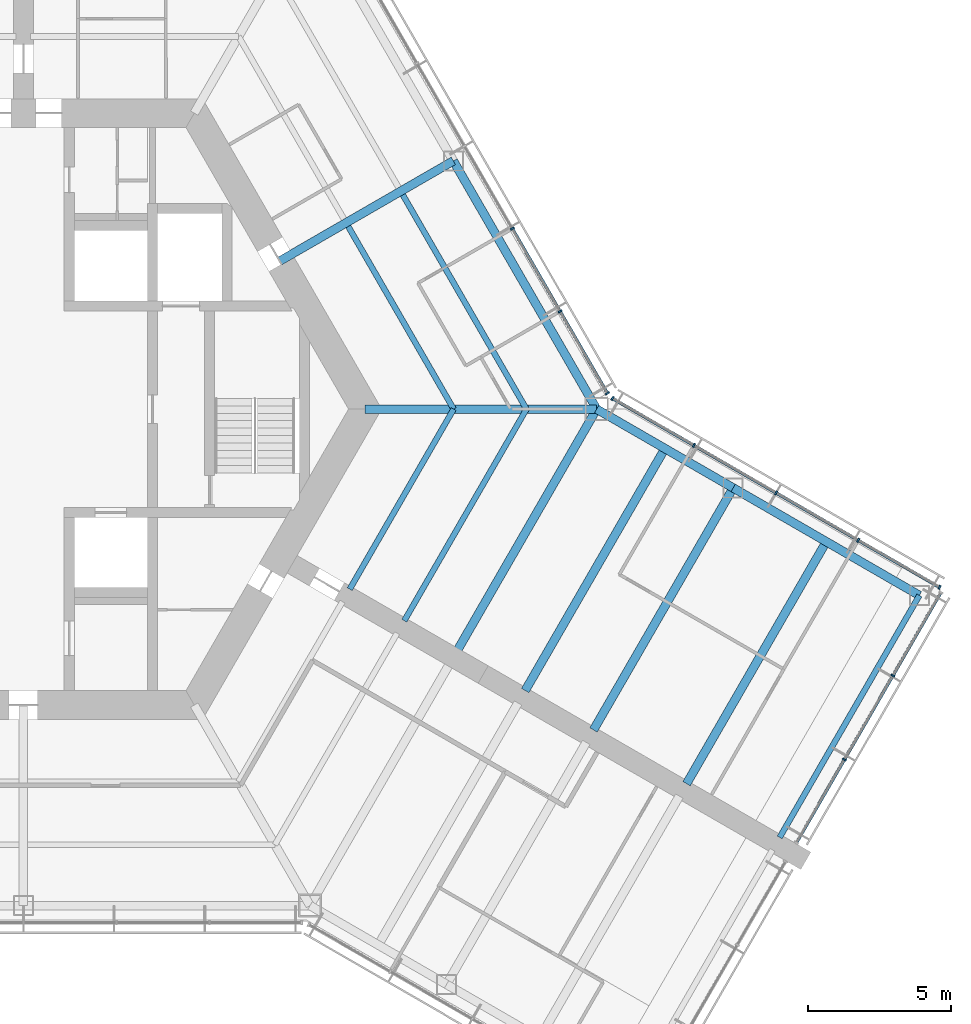
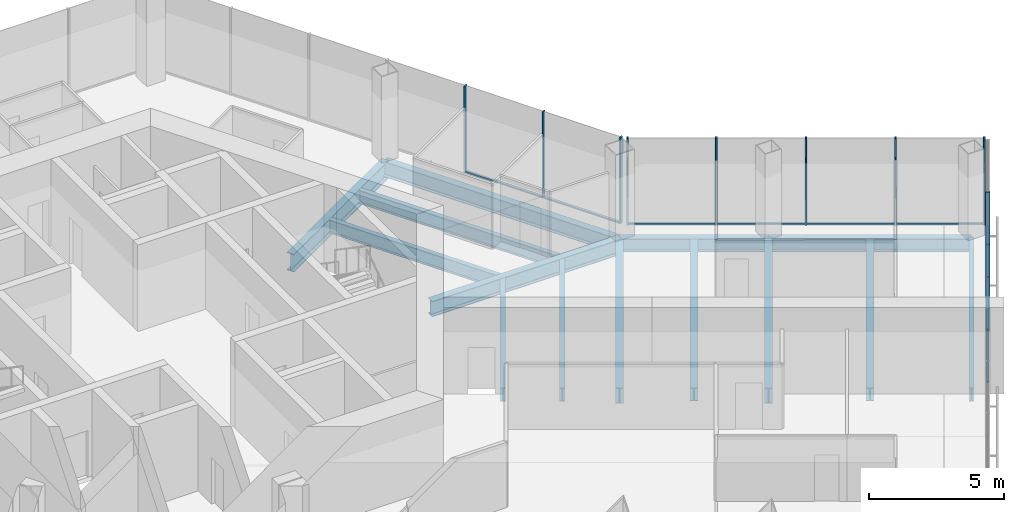
# One storey, part 6 of 18: 19 members, 14 beams, 3 elements without a shape of their own.
"""IFC4 building model written with IfcOpenShell, lengths in metres."""

from ifc_helpers import new_model, si_unit, direction, frame, origin, origin_2d, place, context, subcontext, project, spatial, rectangle, i_section, extrude, material, material_profile, profile_set, type_object, element, aggregate, save


model = new_model("IFC4")

# Units and contexts
model_context = context("Model", 3, precision=1e-05, world=origin(), true_north=direction((0.0, 1.0)))
body_context = subcontext(model_context, "Body", "Model", "MODEL_VIEW")
ifc_project = project(units=[si_unit("LENGTHUNIT", "METRE"), si_unit("AREAUNIT", "SQUARE_METRE"), si_unit("VOLUMEUNIT", "CUBIC_METRE"), si_unit("PLANEANGLEUNIT", "RADIAN"), si_unit("MASSUNIT", "GRAM", prefix="KILO")], contexts=[model_context])

# Site, building, storey
site_placement = place(None, origin())
site = spatial("IfcSite", under=ifc_project, at=site_placement, CompositionType="ELEMENT")
building_placement = place(site_placement, origin())
building = spatial("IfcBuilding", under=site, at=building_placement, Name="Kasaneha Research Tower", CompositionType="ELEMENT")
storey_placement = place(building_placement, frame((0.0, 0.0, 191.60009765625)))
storey = spatial("IfcBuildingStorey", under=building, at=storey_placement, Name="L48", CompositionType="ELEMENT", Elevation=191.60009765625)

# Beams
ifc_material_1 = material(Name="Steel SN490B", Category="steel")
ifc_material_profile_1 = material_profile(ifc_material_1, i_section(OverallWidth=0.199951171875, OverallDepth=0.60009765625, WebThickness=0.010986328125, FlangeThickness=0.01708984375, FilletRadius=0.012939453125, at=origin_2d()), Name="H-600x200x11x17")
ifc_profile_set_1 = profile_set([ifc_material_profile_1], Name="Steel SN490B")
beam_type_1 = type_object("IfcBeamType", Name="B1-3 secondary beam H-600x200x11x17", PredefinedType="JOIST", material=ifc_profile_set_1)
beam_1_placement = place(storey_placement, frame((15.010986328125, 0.0, -0.4501953125), z_axis=(-0.499994443168, 0.866028611999, 0.0), x_axis=(-0.866028611999, -0.499994443168, 0.0)))
element("IfcBeam", 1, at=beam_1_placement, inside=storey, type_object=beam_type_1, Name="Secondary beam RS030L1 L48", PredefinedType="JOIST", context=body_context, shape_type="SweptSolid", body=[
    extrude(i_section(OverallWidth=0.199951171875, OverallDepth=0.60009765625, WebThickness=0.010986328125, FlangeThickness=0.01708984375, FilletRadius=0.012939453125, at=origin_2d()), origin(), (0.0, 0.0, 1.0), 7.35546875),
])
beam_2_placement = place(storey_placement, frame((17.551513671875, 0.0, -0.4501953125), z_axis=(-0.5000050195, 0.866022505755, 0.0), x_axis=(-0.866022505755, -0.5000050195, 0.0)))
element("IfcBeam", 2, at=beam_2_placement, inside=storey, type_object=beam_type_1, Name="Secondary beam RS030L2 L48", PredefinedType="JOIST", context=body_context, shape_type="SweptSolid", body=[
    extrude(i_section(OverallWidth=0.199951171875, OverallDepth=0.60009765625, WebThickness=0.010986328125, FlangeThickness=0.01708984375, FilletRadius=0.012939453125, at=origin_2d()), origin(), (0.0, 0.0, 1.0), 8.6259765625),
])
beam_3_placement = place(storey_placement, frame((15.010986328125, 0.0, -0.4501953125), z_axis=(-0.499993340521, -0.866029248602, 0.0), x_axis=(0.866029248602, -0.499993340521, 0.0)))
element("IfcBeam", 3, at=beam_3_placement, inside=storey, type_object=beam_type_1, Name="Secondary beam RS330R1 L48", PredefinedType="JOIST", context=body_context, shape_type="SweptSolid", body=[
    extrude(i_section(OverallWidth=0.199951171875, OverallDepth=0.60009765625, WebThickness=0.010986328125, FlangeThickness=0.01708984375, FilletRadius=0.012939453125, at=origin_2d()), origin(), (0.0, 0.0, 1.0), 7.25537109375),
])
beam_4_placement = place(storey_placement, frame((17.551513671875, 0.0, -0.4501953125), z_axis=(-0.500004205306, -0.866022975836, 0.0), x_axis=(0.866022975836, -0.500004205306, 0.0)))
element("IfcBeam", 4, at=beam_4_placement, inside=storey, type_object=beam_type_1, Name="Secondary beam RS330R2 L48", PredefinedType="JOIST", context=body_context, shape_type="SweptSolid", body=[
    extrude(i_section(OverallWidth=0.199951171875, OverallDepth=0.60009765625, WebThickness=0.010986328125, FlangeThickness=0.01708984375, FilletRadius=0.012939453125, at=origin_2d()), origin(), (0.0, 0.0, 1.0), 8.52587890625),
])
ifc_material_2 = material(Name="Steel SN490B", Category="steel")
ifc_material_profile_2 = material_profile(ifc_material_2, i_section(OverallWidth=0.300048828125, OverallDepth=0.58203125, WebThickness=0.011962890625, FlangeThickness=0.01708984375, FilletRadius=0.012939453125, at=origin_2d()), Name="H-582x300x12x17")
ifc_profile_set_2 = profile_set([ifc_material_profile_2], Name="Steel SN490B")
beam_type_2 = type_object("IfcBeamType", Name="B2-3 secondary beam H-582x300x12x17", PredefinedType="JOIST", material=ifc_profile_set_2)
for number, where, z_axis, x_axis, name in (
    (5, (22.381591796875, -1.375, -0.441162109375), (-0.499995560238, -0.866027967067, 0.0), (0.866027967067, -0.499995560238, 0.0), "Secondary beam WBCN1 L48"),
    (6, (28.0107421875, -4.625, -0.441162109375), (-0.499995560238, -0.866027967067, 0.0), (0.866027967067, -0.499995560238, 0.0), "Secondary beam WBCN2 L48"),
):
    element("IfcBeam", number, at=place(storey_placement, frame(where, z_axis=z_axis, x_axis=x_axis)), inside=storey, type_object=beam_type_2, Name=name, PredefinedType="JOIST", context=body_context, shape_type="SweptSolid", body=[
        extrude(i_section(OverallWidth=0.300048828125, OverallDepth=0.58203125, WebThickness=0.011962890625, FlangeThickness=0.01708984375, FilletRadius=0.012939453125, at=origin_2d()), origin(), (0.0, 0.0, 1.0), 9.75),
    ])

# Curtain wall, members
ifc_material_3 = material(Name="Glass and aluminium", Category="aluminium")
curtain_wall_type = type_object("IfcCurtainWallType", Name="Mid-rise office curtain wall", PredefinedType="USERDEFINED", material=ifc_material_3)
curtain_wall_1_placement = place(storey_placement, origin())
curtain_wall_1 = element("IfcCurtainWall", 7, at=curtain_wall_1_placement, inside=storey, type_object=curtain_wall_type, Name="CW-O2 L48 run 04a", ObjectType="UNITISED CURTAIN WALL", PredefinedType="USERDEFINED")
ifc_material_4 = material(Name="Aluminium 6063-T6", Category="aluminium")
ifc_material_profile_3 = material_profile(ifc_material_4, rectangle(XDim=0.06005859375, YDim=0.14990234375, at=origin_2d()), Name="CW-O2 mullion 60x150")
ifc_profile_set_3 = profile_set([ifc_material_profile_3], Name="Aluminium 6063-T6")
member_type_1 = type_object("IfcMemberType", Name="CW-O2 mullion", PredefinedType="MULLION", material=ifc_profile_set_3)
member_1_placement = place(storey_placement, frame((28.64453125, -12.22705078125, 0.0), z_axis=(0.0, 0.0, 1.0), x_axis=(0.500000011442, 0.866025397178, 0.0)))
member_1 = element("IfcMember", 8, at=member_1_placement, type_object=member_type_1, Name="CW-O2 mullion 2", PredefinedType="MULLION", context=body_context, shape_type="SweptSolid", body=[
    extrude(rectangle(XDim=0.06005859375, YDim=0.14990234375, at=origin_2d()), origin(), (0.0, 0.0, 1.0), 3.89990234375),
])
member_2_placement = place(storey_placement, frame((30.336181640625, -9.297119140625, 0.0), z_axis=(0.0, 0.0, 1.0), x_axis=(0.500000011442, 0.866025397178, 0.0)))
member_2 = element("IfcMember", 9, at=member_2_placement, type_object=member_type_1, Name="CW-O2 mullion 3", PredefinedType="MULLION", context=body_context, shape_type="SweptSolid", body=[
    extrude(rectangle(XDim=0.06005859375, YDim=0.14990234375, at=origin_2d()), origin(), (0.0, 0.0, 1.0), 3.89990234375),
])

curtain_wall_2_placement = place(storey_placement, origin())
curtain_wall_2 = element("IfcCurtainWall", 10, at=curtain_wall_2_placement, inside=storey, type_object=curtain_wall_type, Name="CW-O2 L48 run 05a", ObjectType="UNITISED CURTAIN WALL", PredefinedType="USERDEFINED")
member_3_placement = place(storey_placement, frame((31.96533203125, -6.21533203125, 0.0), z_axis=(0.0, 0.0, 1.0), x_axis=(-0.866025411464, 0.499999986699, 0.0)))
member_3 = element("IfcMember", 11, at=member_3_placement, type_object=member_type_1, Name="CW-O2 mullion 1", PredefinedType="MULLION", context=body_context, shape_type="SweptSolid", body=[
    extrude(rectangle(XDim=0.06005859375, YDim=0.14990234375, at=origin_2d()), origin(), (0.0, 0.0, 1.0), 3.89990234375),
])
member_4_placement = place(storey_placement, frame((29.125, -4.575439453125, 0.0), z_axis=(0.0, 0.0, 1.0), x_axis=(-0.866025411464, 0.499999986699, 0.0)))
member_4 = element("IfcMember", 12, at=member_4_placement, type_object=member_type_1, Name="CW-O2 mullion 2", PredefinedType="MULLION", context=body_context, shape_type="SweptSolid", body=[
    extrude(rectangle(XDim=0.06005859375, YDim=0.14990234375, at=origin_2d()), origin(), (0.0, 0.0, 1.0), 3.89990234375),
])
member_5_placement = place(storey_placement, frame((26.258544921875, -2.920654296875, 0.0), z_axis=(0.0, 0.0, 1.0), x_axis=(-0.866025411464, 0.499999986699, 0.0)))
member_5 = element("IfcMember", 13, at=member_5_placement, type_object=member_type_1, Name="CW-O2 mullion 3", PredefinedType="MULLION", context=body_context, shape_type="SweptSolid", body=[
    extrude(rectangle(XDim=0.06005859375, YDim=0.14990234375, at=origin_2d()), origin(), (0.0, 0.0, 1.0), 3.89990234375),
])
member_6_placement = place(storey_placement, frame((23.39208984375, -1.265625, 0.0), z_axis=(0.0, 0.0, 1.0), x_axis=(-0.866025411464, 0.499999986699, 0.0)))
member_6 = element("IfcMember", 14, at=member_6_placement, type_object=member_type_1, Name="CW-O2 mullion 4", PredefinedType="MULLION", context=body_context, shape_type="SweptSolid", body=[
    extrude(rectangle(XDim=0.06005859375, YDim=0.14990234375, at=origin_2d()), origin(), (0.0, 0.0, 1.0), 3.89990234375),
])
member_7_placement = place(storey_placement, frame((20.5517578125, 0.374267578125, 0.0), z_axis=(0.0, 0.0, 1.0), x_axis=(-0.866025411464, 0.499999986699, 0.0)))
member_7 = element("IfcMember", 15, at=member_7_placement, type_object=member_type_1, Name="CW-O2 mullion 5", PredefinedType="MULLION", context=body_context, shape_type="SweptSolid", body=[
    extrude(rectangle(XDim=0.06005859375, YDim=0.14990234375, at=origin_2d()), origin(), (0.0, 0.0, 1.0), 3.89990234375),
])

curtain_wall_3_placement = place(storey_placement, origin())
curtain_wall_3 = element("IfcCurtainWall", 16, at=curtain_wall_3_placement, inside=storey, type_object=curtain_wall_type, Name="CW-O2 L48 run 06a", ObjectType="UNITISED CURTAIN WALL", PredefinedType="USERDEFINED")
member_8_placement = place(storey_placement, frame((20.374267578125, 0.5517578125, 0.0), z_axis=(0.0, 0.0, 1.0), x_axis=(-0.499999979232, 0.866025415775, 0.0)))
member_8 = element("IfcMember", 17, at=member_8_placement, type_object=member_type_1, Name="CW-O2 mullion 1", PredefinedType="MULLION", context=body_context, shape_type="SweptSolid", body=[
    extrude(rectangle(XDim=0.06005859375, YDim=0.14990234375, at=origin_2d()), origin(), (0.0, 0.0, 1.0), 3.89990234375),
])
member_9_placement = place(storey_placement, frame((18.723876953125, 3.410400390625, 0.0), z_axis=(0.0, 0.0, 1.0), x_axis=(-0.499999979232, 0.866025415775, 0.0)))
member_9 = element("IfcMember", 18, at=member_9_placement, type_object=member_type_1, Name="CW-O2 mullion 2", PredefinedType="MULLION", context=body_context, shape_type="SweptSolid", body=[
    extrude(rectangle(XDim=0.06005859375, YDim=0.14990234375, at=origin_2d()), origin(), (0.0, 0.0, 1.0), 3.89990234375),
])
member_10_placement = place(storey_placement, frame((17.058349609375, 6.295166015625, 0.0), z_axis=(0.0, 0.0, 1.0), x_axis=(-0.499999979232, 0.866025415775, 0.0)))
member_10 = element("IfcMember", 19, at=member_10_placement, type_object=member_type_1, Name="CW-O2 mullion 3", PredefinedType="MULLION", context=body_context, shape_type="SweptSolid", body=[
    extrude(rectangle(XDim=0.06005859375, YDim=0.14990234375, at=origin_2d()), origin(), (0.0, 0.0, 1.0), 3.89990234375),
])

# Member
ifc_material_5 = material(Name="Aluminium 6063-T6", Category="aluminium")
ifc_material_profile_4 = material_profile(ifc_material_5, rectangle(XDim=0.110107421875, YDim=0.06005859375, at=origin_2d()), Name="CW-O2 transom 110x60")
ifc_profile_set_4 = profile_set([ifc_material_profile_4], Name="Aluminium 6063-T6")
member_type_2 = type_object("IfcMemberType", Name="CW-O2 transom", PredefinedType="USERDEFINED", material=ifc_profile_set_4)
member_11_placement = place(storey_placement, frame((26.98291015625, -15.105224609375, 0.02978515625), z_axis=(0.500021914551, 0.866012751043, 0.0), x_axis=(-0.866012751043, 0.500021914551, 0.0)))
member_11 = element("IfcMember", 20, at=member_11_placement, type_object=member_type_2, Name="CW-O2 transom 1", ObjectType="TRANSOM", PredefinedType="USERDEFINED", context=body_context, shape_type="SweptSolid", body=[
    extrude(rectangle(XDim=0.110107421875, YDim=0.06005859375, at=origin_2d()), origin(), (0.0, 0.0, 1.0), 3.293212890625),
])

member_12_placement = place(storey_placement, frame((28.65966796875, -12.201171875, 0.02978515625), z_axis=(0.499978935311, 0.866037565146, 0.0), x_axis=(-0.866037565146, 0.499978935311, 0.0)))
member_12 = element("IfcMember", 21, at=member_12_placement, type_object=member_type_2, Name="CW-O2 transom 2", ObjectType="TRANSOM", PredefinedType="USERDEFINED", context=body_context, shape_type="SweptSolid", body=[
    extrude(rectangle(XDim=0.110107421875, YDim=0.06005859375, at=origin_2d()), origin(), (0.0, 0.0, 1.0), 3.323486328125),
])

member_13_placement = place(storey_placement, frame((30.351318359375, -9.27099609375, 0.02978515625), z_axis=(0.500021914551, 0.866012751043, 0.0), x_axis=(-0.866012751043, 0.500021914551, 0.0)))
member_13 = element("IfcMember", 22, at=member_13_placement, type_object=member_type_2, Name="CW-O2 transom 3", ObjectType="TRANSOM", PredefinedType="USERDEFINED", context=body_context, shape_type="SweptSolid", body=[
    extrude(rectangle(XDim=0.110107421875, YDim=0.06005859375, at=origin_2d()), origin(), (0.0, 0.0, 1.0), 3.293212890625),
])

aggregate(curtain_wall_1, [member_1, member_2, member_11, member_12, member_13])

member_14_placement = place(storey_placement, frame((31.939453125, -6.200439453125, 0.02978515625), z_axis=(-0.866041647767, 0.499971863542, 0.0), x_axis=(-0.499971863542, -0.866041647767, 0.0)))
member_14 = element("IfcMember", 23, at=member_14_placement, type_object=member_type_2, Name="CW-O2 transom 1", ObjectType="TRANSOM", PredefinedType="USERDEFINED", context=body_context, shape_type="SweptSolid", body=[
    extrude(rectangle(XDim=0.110107421875, YDim=0.06005859375, at=origin_2d()), origin(), (0.0, 0.0, 1.0), 3.219970703125),
])

member_15_placement = place(storey_placement, frame((29.098876953125, -4.560546875, 0.02978515625), z_axis=(-0.86599666273, 0.500049777664, 0.0), x_axis=(-0.500049777664, -0.86599666273, 0.0)))
member_15 = element("IfcMember", 24, at=member_15_placement, type_object=member_type_2, Name="CW-O2 transom 2", ObjectType="TRANSOM", PredefinedType="USERDEFINED", context=body_context, shape_type="SweptSolid", body=[
    extrude(rectangle(XDim=0.110107421875, YDim=0.06005859375, at=origin_2d()), origin(), (0.0, 0.0, 1.0), 3.249755859375),
])

member_16_placement = place(storey_placement, frame((26.232666015625, -2.905517578125, 0.02978515625), z_axis=(-0.86604797581, 0.499960902066, 0.0), x_axis=(-0.499960902066, -0.86604797581, 0.0)))
member_16 = element("IfcMember", 25, at=member_16_placement, type_object=member_type_2, Name="CW-O2 transom 3", ObjectType="TRANSOM", PredefinedType="USERDEFINED", context=body_context, shape_type="SweptSolid", body=[
    extrude(rectangle(XDim=0.110107421875, YDim=0.06005859375, at=origin_2d()), origin(), (0.0, 0.0, 1.0), 3.249755859375),
])

member_17_placement = place(storey_placement, frame((23.3662109375, -1.250732421875, 0.02978515625), z_axis=(-0.866022692473, 0.500004696101, 0.0), x_axis=(-0.500004696101, -0.866022692473, 0.0)))
member_17 = element("IfcMember", 26, at=member_17_placement, type_object=member_type_2, Name="CW-O2 transom 4", ObjectType="TRANSOM", PredefinedType="USERDEFINED", context=body_context, shape_type="SweptSolid", body=[
    extrude(rectangle(XDim=0.110107421875, YDim=0.06005859375, at=origin_2d()), origin(), (0.0, 0.0, 1.0), 3.2197265625),
])

aggregate(curtain_wall_2, [member_3, member_4, member_5, member_6, member_7, member_14, member_15, member_16, member_17])

member_18_placement = place(storey_placement, frame((20.359130859375, 0.577880859375, 0.02978515625), z_axis=(-0.499987643696, 0.866032537582, 0.0), x_axis=(-0.866032537582, -0.499987643696, 0.0)))
member_18 = element("IfcMember", 27, at=member_18_placement, type_object=member_type_2, Name="CW-O2 transom 1", ObjectType="TRANSOM", PredefinedType="USERDEFINED", context=body_context, shape_type="SweptSolid", body=[
    extrude(rectangle(XDim=0.110107421875, YDim=0.06005859375, at=origin_2d()), origin(), (0.0, 0.0, 1.0), 3.24072265625),
])

member_19_placement = place(storey_placement, frame((18.708740234375, 3.4365234375, 0.02978515625), z_axis=(-0.500000270186, 0.866025247793, 0.0), x_axis=(-0.866025247793, -0.500000270186, 0.0)))
member_19 = element("IfcMember", 28, at=member_19_placement, type_object=member_type_2, Name="CW-O2 transom 2", ObjectType="TRANSOM", PredefinedType="USERDEFINED", context=body_context, shape_type="SweptSolid", body=[
    extrude(rectangle(XDim=0.110107421875, YDim=0.06005859375, at=origin_2d()), origin(), (0.0, 0.0, 1.0), 3.27099609375),
])

aggregate(curtain_wall_3, [member_8, member_9, member_10, member_18, member_19])

# Beams
ifc_material_6 = material(Name="Steel SN490B", Category="steel")
ifc_material_profile_5 = material_profile(ifc_material_6, i_section(OverallWidth=0.300048828125, OverallDepth=0.699951171875, WebThickness=0.012939453125, FlangeThickness=0.02392578125, FilletRadius=0.01806640625, at=origin_2d()), Name="H-700x300x13x24")
ifc_profile_set_5 = profile_set([ifc_material_profile_5], Name="Steel SN490B")
beam_type_3 = type_object("IfcBeamType", Name="G1-3 radial girder H-700x300x13x24", PredefinedType="BEAM", material=ifc_profile_set_5)
beam_5_placement = place(storey_placement, frame((11.92236328125, 0.0, -0.5), z_axis=(1.0, 0.0, 0.0), x_axis=(0.0, 1.0, 0.0)))
element("IfcBeam", 29, at=beam_5_placement, inside=storey, type_object=beam_type_3, Name="Radial girder RV000 L48", PredefinedType="BEAM", context=body_context, shape_type="SweptSolid", body=[
    extrude(i_section(OverallWidth=0.300048828125, OverallDepth=0.699951171875, WebThickness=0.012939453125, FlangeThickness=0.02392578125, FilletRadius=0.01806640625, at=origin_2d()), origin(), (0.0, 0.0, 1.0), 8.07763671875),
])
ifc_material_7 = material(Name="Steel SN490B", Category="steel")
ifc_material_profile_6 = material_profile(ifc_material_7, i_section(OverallWidth=0.300048828125, OverallDepth=0.800048828125, WebThickness=0.013916015625, FlangeThickness=0.02587890625, FilletRadius=0.01806640625, at=origin_2d()), Name="H-800x300x14x26")
ifc_profile_set_6 = profile_set([ifc_material_profile_6], Name="Steel SN490B")
beam_type_4 = type_object("IfcBeamType", Name="G2-3 radial girder H-800x300x14x26", PredefinedType="BEAM", material=ifc_profile_set_6)
beam_6_placement = place(storey_placement, frame((8.941650390625, 5.16259765625, -0.550048828125), z_axis=(0.866039713508, 0.499975214012, 0.0), x_axis=(-0.499975214012, 0.866039713508, 0.0)))
element("IfcBeam", 30, at=beam_6_placement, inside=storey, type_object=beam_type_4, Name="Radial girder RM030 L48", PredefinedType="BEAM", context=body_context, shape_type="SweptSolid", body=[
    extrude(i_section(OverallWidth=0.300048828125, OverallDepth=0.800048828125, WebThickness=0.013916015625, FlangeThickness=0.02587890625, FilletRadius=0.01806640625, at=origin_2d()), origin(), (0.0, 0.0, 1.0), 6.995361328125),
])
ifc_material_8 = material(Name="Steel SN490B", Category="steel")
ifc_material_profile_7 = material_profile(ifc_material_8, i_section(OverallWidth=0.300048828125, OverallDepth=0.69189453125, WebThickness=0.012939453125, FlangeThickness=0.02001953125, FilletRadius=0.01806640625, at=origin_2d()), Name="H-692x300x13x20")
ifc_profile_set_7 = profile_set([ifc_material_profile_7], Name="Steel SN490B")
beam_type_5 = type_object("IfcBeamType", Name="G3-3 plate edge girder H-692x300x13x20", PredefinedType="BEAM", material=ifc_profile_set_7)
beam_7_placement = place(storey_placement, frame((20.0, 0.0, -0.49609375), z_axis=(-0.499995560238, -0.866027967067, 0.0), x_axis=(0.866027967067, -0.499995560238, 0.0)))
element("IfcBeam", 31, at=beam_7_placement, inside=storey, type_object=beam_type_5, Name="Plate edge girder PECN L48", PredefinedType="BEAM", context=body_context, shape_type="SweptSolid", body=[
    extrude(i_section(OverallWidth=0.300048828125, OverallDepth=0.69189453125, WebThickness=0.012939453125, FlangeThickness=0.02001953125, FilletRadius=0.01806640625, at=origin_2d()), origin(), (0.0, 0.0, 1.0), 9.75),
])
ifc_material_9 = material(Name="Steel SN490B", Category="steel")
ifc_material_profile_8 = material_profile(ifc_material_9, i_section(OverallWidth=0.300048828125, OverallDepth=0.699951171875, WebThickness=0.012939453125, FlangeThickness=0.02392578125, FilletRadius=0.01806640625, at=origin_2d()), Name="H-700x300x13x24")
ifc_profile_set_8 = profile_set([ifc_material_profile_8], Name="Steel SN490B")
beam_type_6 = type_object("IfcBeamType", Name="G4-3 wing girder H-700x300x13x24", PredefinedType="BEAM", material=ifc_profile_set_8)
beam_8_placement = place(storey_placement, frame((24.76318359375, -2.75, -0.5), z_axis=(-0.499995560238, -0.866027967067, 0.0), x_axis=(0.866027967067, -0.499995560238, 0.0)))
element("IfcBeam", 32, at=beam_8_placement, inside=storey, type_object=beam_type_6, Name="Wing girder WGCN L48", PredefinedType="BEAM", context=body_context, shape_type="SweptSolid", body=[
    extrude(i_section(OverallWidth=0.300048828125, OverallDepth=0.699951171875, WebThickness=0.012939453125, FlangeThickness=0.02392578125, FilletRadius=0.01806640625, at=origin_2d()), origin(), (0.0, 0.0, 1.0), 9.75),
])
ifc_material_10 = material(Name="Steel SN490B", Category="steel")
ifc_material_profile_9 = material_profile(ifc_material_10, i_section(OverallWidth=0.300048828125, OverallDepth=0.69189453125, WebThickness=0.012939453125, FlangeThickness=0.02001953125, FilletRadius=0.01806640625, at=origin_2d()), Name="H-692x300x13x20")
ifc_profile_set_9 = profile_set([ifc_material_profile_9], Name="Steel SN490B")
beam_type_7 = type_object("IfcBeamType", Name="SB1-3 spandrel beam H-692x300x13x20", PredefinedType="SPANDREL", material=ifc_profile_set_9)
beam_9_placement = place(storey_placement, frame((20.0, 0.0, -0.49609375), z_axis=(-0.500004234368, 0.866022959057, 0.0), x_axis=(-0.866022959057, -0.500004234368, 0.0)))
element("IfcBeam", 33, at=beam_9_placement, inside=storey, type_object=beam_type_7, Name="Spandrel beam SR030L L48", PredefinedType="SPANDREL", context=body_context, shape_type="SweptSolid", body=[
    extrude(i_section(OverallWidth=0.300048828125, OverallDepth=0.69189453125, WebThickness=0.012939453125, FlangeThickness=0.02001953125, FilletRadius=0.01806640625, at=origin_2d()), origin(), (0.0, 0.0, 1.0), 10.0),
])
ifc_material_11 = material(Name="Steel SN490B", Category="steel")
ifc_material_profile_10 = material_profile(ifc_material_11, i_section(OverallWidth=0.300048828125, OverallDepth=0.58203125, WebThickness=0.011962890625, FlangeThickness=0.01708984375, FilletRadius=0.012939453125, at=origin_2d()), Name="H-582x300x12x17")
ifc_profile_set_10 = profile_set([ifc_material_profile_10], Name="Steel SN490B")
beam_type_8 = type_object("IfcBeamType", Name="SB2-3 spandrel beam H-582x300x12x17", PredefinedType="SPANDREL", material=ifc_profile_set_10)
beam_10_placement = place(storey_placement, frame((20.0, 0.0, -0.441162109375), z_axis=(0.866027397988, -0.499996545922, 0.0), x_axis=(0.499996545922, 0.866027397988, 0.0)))
element("IfcBeam", 34, at=beam_10_placement, inside=storey, type_object=beam_type_8, Name="Spandrel beam WSCN1 L48", PredefinedType="SPANDREL", context=body_context, shape_type="SweptSolid", body=[
    extrude(i_section(OverallWidth=0.300048828125, OverallDepth=0.58203125, WebThickness=0.011962890625, FlangeThickness=0.01708984375, FilletRadius=0.012939453125, at=origin_2d()), origin(), (0.0, 0.0, 1.0), 5.5),
])
beam_11_placement = place(storey_placement, frame((24.76318359375, -2.75, -0.441162109375), z_axis=(0.866022959057, -0.500004234368, 0.0), x_axis=(0.500004234368, 0.866022959057, 0.0)))
element("IfcBeam", 35, at=beam_11_placement, inside=storey, type_object=beam_type_8, Name="Spandrel beam WSCN2 L48", PredefinedType="SPANDREL", context=body_context, shape_type="SweptSolid", body=[
    extrude(i_section(OverallWidth=0.300048828125, OverallDepth=0.58203125, WebThickness=0.011962890625, FlangeThickness=0.01708984375, FilletRadius=0.012939453125, at=origin_2d()), origin(), (0.0, 0.0, 1.0), 7.5),
])
ifc_material_12 = material(Name="Steel SN490B", Category="steel")
ifc_material_profile_11 = material_profile(ifc_material_12, i_section(OverallWidth=0.199951171875, OverallDepth=0.60009765625, WebThickness=0.010986328125, FlangeThickness=0.01708984375, FilletRadius=0.012939453125, at=origin_2d()), Name="H-600x200x11x17")
ifc_profile_set_11 = profile_set([ifc_material_profile_11], Name="Steel SN490B")
beam_type_9 = type_object("IfcBeamType", Name="SB3-3 spandrel beam H-600x200x11x17", PredefinedType="SPANDREL", material=ifc_profile_set_11)
beam_12_placement = place(storey_placement, frame((31.25830078125, -6.5, -0.4501953125), z_axis=(-0.499995560238, -0.866027967067, 0.0), x_axis=(0.866027967067, -0.499995560238, 0.0)))
element("IfcBeam", 36, at=beam_12_placement, inside=storey, type_object=beam_type_9, Name="Spandrel beam WTCN L48", PredefinedType="SPANDREL", context=body_context, shape_type="SweptSolid", body=[
    extrude(i_section(OverallWidth=0.199951171875, OverallDepth=0.60009765625, WebThickness=0.010986328125, FlangeThickness=0.01708984375, FilletRadius=0.012939453125, at=origin_2d()), origin(), (0.0, 0.0, 1.0), 9.75),
])

save(model, "model.ifc")
